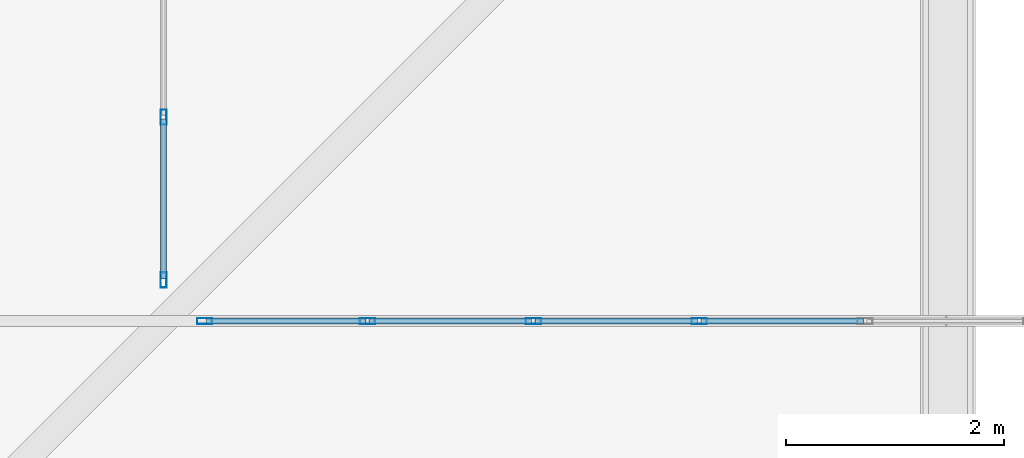
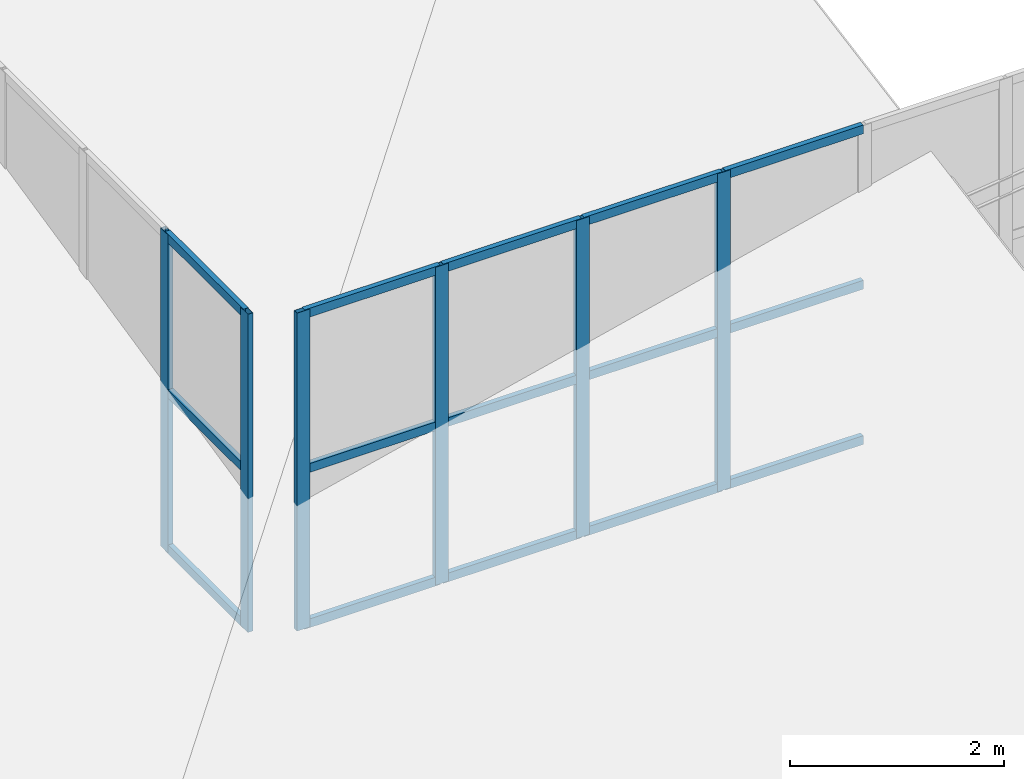
# One storey, part 13 of 397: 21 members, 2 elements without a shape of their own.
"""IFC4 building model written with IfcOpenShell, lengths in metres."""

from ifc_helpers import new_model, si_unit, direction, frame, origin, origin_2d, place, context, subcontext, project, spatial, hollow_rectangle, extrude, material, material_profile, profile_set, type_object, element, aggregate, save


model = new_model("IFC4")

# Units and contexts
model_context = context("Model", 3, precision=1e-05, world=origin(), true_north=direction((0.0, 1.0)))
body_context = subcontext(model_context, "Body", "Model", "MODEL_VIEW")
ifc_project = project(units=[si_unit("LENGTHUNIT", "METRE"), si_unit("AREAUNIT", "SQUARE_METRE"), si_unit("VOLUMEUNIT", "CUBIC_METRE"), si_unit("PLANEANGLEUNIT", "RADIAN"), si_unit("MASSUNIT", "GRAM", prefix="KILO")], contexts=[model_context])

# Site, building, storey
site_placement = place(None, origin())
site = spatial("IfcSite", under=ifc_project, at=site_placement, CompositionType="ELEMENT")
building_placement = place(site_placement, origin())
building = spatial("IfcBuilding", under=site, at=building_placement, Name="Qandorah Velis Arena", CompositionType="ELEMENT")
storey_placement = place(building_placement, frame((0.0, 0.0, 27.5)))
storey = spatial("IfcBuildingStorey", under=building, at=storey_placement, Name="RF", CompositionType="ELEMENT", Elevation=27.5)

# Curtain wall, members
ifc_material_1 = material(Name="Solar-control low-E double glazing", Category="glass")
curtain_wall_type_1 = type_object("IfcCurtainWallType", Name="ARC-CW-SYS07", PredefinedType="USERDEFINED", material=ifc_material_1)
curtain_wall_1_placement = place(storey_placement, origin())
curtain_wall_1 = element("IfcCurtainWall", 1, at=curtain_wall_1_placement, inside=storey, type_object=curtain_wall_type_1, Name="Unitised curtain wall MON-1-1", ObjectType="UNITISED CURTAIN WALL", PredefinedType="USERDEFINED")
ifc_material_2 = material(Name="Champagne-bronze anodized aluminium 6063-T6", Category="aluminium")
ifc_material_profile_1 = material_profile(ifc_material_2, hollow_rectangle(XDim=0.054931640625, YDim=0.139892578125, WallThickness=0.0029296875, at=origin_2d()), Name="ALU MULLION 55x140")
ifc_profile_set_1 = profile_set([ifc_material_profile_1], Name="Champagne-bronze anodized aluminium 6063-T6")
member_type_1 = type_object("IfcMemberType", Name="ARC-CWM-140", PredefinedType="MULLION", material=ifc_profile_set_1)
member_1_placement = place(storey_placement, frame((21.60009765625, 21.9775390625, 3.5263671875), z_axis=(0.0, 0.0, 1.0), x_axis=(-1.0, 0.0, 0.0)))
member_1 = element("IfcMember", 2, at=member_1_placement, type_object=member_type_1, Name="CW07 mullion 1", PredefinedType="MULLION", context=body_context, shape_type="SweptSolid", body=[
    extrude(hollow_rectangle(XDim=0.054931640625, YDim=0.139892578125, WallThickness=0.0029296875, at=origin_2d()), origin(), (0.0, 0.0, 1.0), 3.630126953125),
])
member_2_placement = place(storey_placement, frame((21.60009765625, 23.47216796875, 3.5263671875), z_axis=(0.0, 0.0, 1.0), x_axis=(-1.0, 0.0, 0.0)))
member_2 = element("IfcMember", 3, at=member_2_placement, type_object=member_type_1, Name="CW07 mullion 2", PredefinedType="MULLION", context=body_context, shape_type="SweptSolid", body=[
    extrude(hollow_rectangle(XDim=0.054931640625, YDim=0.139892578125, WallThickness=0.0029296875, at=origin_2d()), origin(), (0.0, 0.0, 1.0), 3.630126953125),
])

curtain_wall_type_2 = type_object("IfcCurtainWallType", Name="ARC-CW-SYS19", PredefinedType="USERDEFINED", material=ifc_material_1)
curtain_wall_2_placement = place(storey_placement, origin())
curtain_wall_2 = element("IfcCurtainWall", 4, at=curtain_wall_2_placement, inside=storey, type_object=curtain_wall_type_2, Name="Unitised curtain wall MON-3-1", ObjectType="UNITISED CURTAIN WALL", PredefinedType="USERDEFINED")
member_3_placement = place(storey_placement, frame((21.9775390625, 21.60009765625, 3.625732421875), z_axis=(0.0, 0.0, 1.0), x_axis=(0.0, 1.0, 0.0)))
member_3 = element("IfcMember", 5, at=member_3_placement, type_object=member_type_1, Name="CW19 mullion 1", PredefinedType="MULLION", context=body_context, shape_type="SweptSolid", body=[
    extrude(hollow_rectangle(XDim=0.054931640625, YDim=0.139892578125, WallThickness=0.0029296875, at=origin_2d()), origin(), (0.0, 0.0, 1.0), 3.630126953125),
])
member_4_placement = place(storey_placement, frame((23.47216796875, 21.60009765625, 3.625732421875), z_axis=(0.0, 0.0, 1.0), x_axis=(0.0, 1.0, 0.0)))
member_4 = element("IfcMember", 6, at=member_4_placement, type_object=member_type_1, Name="CW19 mullion 2", PredefinedType="MULLION", context=body_context, shape_type="SweptSolid", body=[
    extrude(hollow_rectangle(XDim=0.054931640625, YDim=0.139892578125, WallThickness=0.0029296875, at=origin_2d()), origin(), (0.0, 0.0, 1.0), 3.630126953125),
])
member_5_placement = place(storey_placement, frame((24.994384765625, 21.60009765625, 3.625732421875), z_axis=(0.0, 0.0, 1.0), x_axis=(0.0, 1.0, 0.0)))
member_5 = element("IfcMember", 7, at=member_5_placement, type_object=member_type_1, Name="CW19 mullion 3", PredefinedType="MULLION", context=body_context, shape_type="SweptSolid", body=[
    extrude(hollow_rectangle(XDim=0.054931640625, YDim=0.139892578125, WallThickness=0.0029296875, at=origin_2d()), origin(), (0.0, 0.0, 1.0), 3.630126953125),
])
member_6_placement = place(storey_placement, frame((26.5166015625, 21.60009765625, 3.625732421875), z_axis=(0.0, 0.0, 1.0), x_axis=(0.0, 1.0, 0.0)))
member_6 = element("IfcMember", 8, at=member_6_placement, type_object=member_type_1, Name="CW19 mullion 4", PredefinedType="MULLION", context=body_context, shape_type="SweptSolid", body=[
    extrude(hollow_rectangle(XDim=0.054931640625, YDim=0.139892578125, WallThickness=0.0029296875, at=origin_2d()), origin(), (0.0, 0.0, 1.0), 3.630126953125),
])

# Member
ifc_material_profile_2 = material_profile(ifc_material_2, hollow_rectangle(XDim=0.054931640625, YDim=0.10009765625, WallThickness=0.0029296875, at=origin_2d()), Name="ALU TRANSOM 55x100")
ifc_profile_set_2 = profile_set([ifc_material_profile_2], Name="Champagne-bronze anodized aluminium 6063-T6")
member_type_2 = type_object("IfcMemberType", Name="ARC-CWT-100", PredefinedType="USERDEFINED", material=ifc_profile_set_2)
member_7_placement = place(storey_placement, frame((21.60009765625, 21.992919921875, 3.56884765625), z_axis=(0.0, 1.0, 0.0), x_axis=(-1.0, 0.0, 0.0)))
member_7 = element("IfcMember", 9, at=member_7_placement, type_object=member_type_2, Name="CW07 transom 1.1", ObjectType="TRANSOM", PredefinedType="USERDEFINED", context=body_context, shape_type="SweptSolid", body=[
    extrude(hollow_rectangle(XDim=0.054931640625, YDim=0.10009765625, WallThickness=0.0029296875, at=origin_2d()), origin(), (0.0, 0.0, 1.0), 1.4638671875),
])

member_8_placement = place(storey_placement, frame((21.60009765625, 21.992919921875, 5.34130859375), z_axis=(0.0, 1.0, 0.0), x_axis=(-1.0, 0.0, 0.0)))
member_8 = element("IfcMember", 10, at=member_8_placement, type_object=member_type_2, Name="CW07 transom 1.2", ObjectType="TRANSOM", PredefinedType="USERDEFINED", context=body_context, shape_type="SweptSolid", body=[
    extrude(hollow_rectangle(XDim=0.054931640625, YDim=0.10009765625, WallThickness=0.0029296875, at=origin_2d()), origin(), (0.0, 0.0, 1.0), 1.4638671875),
])

member_9_placement = place(storey_placement, frame((21.60009765625, 21.992919921875, 7.114013671875), z_axis=(0.0, 1.0, 0.0), x_axis=(-1.0, 0.0, 0.0)))
member_9 = element("IfcMember", 11, at=member_9_placement, type_object=member_type_2, Name="CW07 transom 1.3", ObjectType="TRANSOM", PredefinedType="USERDEFINED", context=body_context, shape_type="SweptSolid", body=[
    extrude(hollow_rectangle(XDim=0.054931640625, YDim=0.10009765625, WallThickness=0.0029296875, at=origin_2d()), origin(), (0.0, 0.0, 1.0), 1.4638671875),
])

aggregate(curtain_wall_1, [member_1, member_2, member_7, member_8, member_9])

member_10_placement = place(storey_placement, frame((21.992919921875, 21.60009765625, 3.668212890625), z_axis=(1.0, 0.0, 0.0), x_axis=(0.0, 1.0, 0.0)))
member_10 = element("IfcMember", 12, at=member_10_placement, type_object=member_type_2, Name="CW19 transom 1.1", ObjectType="TRANSOM", PredefinedType="USERDEFINED", context=body_context, shape_type="SweptSolid", body=[
    extrude(hollow_rectangle(XDim=0.054931640625, YDim=0.10009765625, WallThickness=0.0029296875, at=origin_2d()), origin(), (0.0, 0.0, 1.0), 1.4638671875),
])

member_11_placement = place(storey_placement, frame((21.992919921875, 21.60009765625, 5.44091796875), z_axis=(1.0, 0.0, 0.0), x_axis=(0.0, 1.0, 0.0)))
member_11 = element("IfcMember", 13, at=member_11_placement, type_object=member_type_2, Name="CW19 transom 1.2", ObjectType="TRANSOM", PredefinedType="USERDEFINED", context=body_context, shape_type="SweptSolid", body=[
    extrude(hollow_rectangle(XDim=0.054931640625, YDim=0.10009765625, WallThickness=0.0029296875, at=origin_2d()), origin(), (0.0, 0.0, 1.0), 1.4638671875),
])

member_12_placement = place(storey_placement, frame((21.992919921875, 21.60009765625, 7.21337890625), z_axis=(1.0, 0.0, 0.0), x_axis=(0.0, 1.0, 0.0)))
member_12 = element("IfcMember", 14, at=member_12_placement, type_object=member_type_2, Name="CW19 transom 1.3", ObjectType="TRANSOM", PredefinedType="USERDEFINED", context=body_context, shape_type="SweptSolid", body=[
    extrude(hollow_rectangle(XDim=0.054931640625, YDim=0.10009765625, WallThickness=0.0029296875, at=origin_2d()), origin(), (0.0, 0.0, 1.0), 1.4638671875),
])

member_13_placement = place(storey_placement, frame((23.48779296875, 21.60009765625, 3.668212890625), z_axis=(1.0, 0.0, 0.0), x_axis=(0.0, 1.0, 0.0)))
member_13 = element("IfcMember", 15, at=member_13_placement, type_object=member_type_2, Name="CW19 transom 2.1", ObjectType="TRANSOM", PredefinedType="USERDEFINED", context=body_context, shape_type="SweptSolid", body=[
    extrude(hollow_rectangle(XDim=0.054931640625, YDim=0.10009765625, WallThickness=0.0029296875, at=origin_2d()), origin(), (0.0, 0.0, 1.0), 1.4912109375),
])

member_14_placement = place(storey_placement, frame((23.48779296875, 21.60009765625, 5.44091796875), z_axis=(1.0, 0.0, 0.0), x_axis=(0.0, 1.0, 0.0)))
member_14 = element("IfcMember", 16, at=member_14_placement, type_object=member_type_2, Name="CW19 transom 2.2", ObjectType="TRANSOM", PredefinedType="USERDEFINED", context=body_context, shape_type="SweptSolid", body=[
    extrude(hollow_rectangle(XDim=0.054931640625, YDim=0.10009765625, WallThickness=0.0029296875, at=origin_2d()), origin(), (0.0, 0.0, 1.0), 1.4912109375),
])

member_15_placement = place(storey_placement, frame((23.48779296875, 21.60009765625, 7.21337890625), z_axis=(1.0, 0.0, 0.0), x_axis=(0.0, 1.0, 0.0)))
member_15 = element("IfcMember", 17, at=member_15_placement, type_object=member_type_2, Name="CW19 transom 2.3", ObjectType="TRANSOM", PredefinedType="USERDEFINED", context=body_context, shape_type="SweptSolid", body=[
    extrude(hollow_rectangle(XDim=0.054931640625, YDim=0.10009765625, WallThickness=0.0029296875, at=origin_2d()), origin(), (0.0, 0.0, 1.0), 1.4912109375),
])

member_16_placement = place(storey_placement, frame((25.010009765625, 21.60009765625, 3.668212890625), z_axis=(1.0, 0.0, 0.0), x_axis=(0.0, 1.0, 0.0)))
member_16 = element("IfcMember", 18, at=member_16_placement, type_object=member_type_2, Name="CW19 transom 3.1", ObjectType="TRANSOM", PredefinedType="USERDEFINED", context=body_context, shape_type="SweptSolid", body=[
    extrude(hollow_rectangle(XDim=0.054931640625, YDim=0.10009765625, WallThickness=0.0029296875, at=origin_2d()), origin(), (0.0, 0.0, 1.0), 1.4912109375),
])

member_17_placement = place(storey_placement, frame((25.010009765625, 21.60009765625, 5.44091796875), z_axis=(1.0, 0.0, 0.0), x_axis=(0.0, 1.0, 0.0)))
member_17 = element("IfcMember", 19, at=member_17_placement, type_object=member_type_2, Name="CW19 transom 3.2", ObjectType="TRANSOM", PredefinedType="USERDEFINED", context=body_context, shape_type="SweptSolid", body=[
    extrude(hollow_rectangle(XDim=0.054931640625, YDim=0.10009765625, WallThickness=0.0029296875, at=origin_2d()), origin(), (0.0, 0.0, 1.0), 1.4912109375),
])

member_18_placement = place(storey_placement, frame((25.010009765625, 21.60009765625, 7.21337890625), z_axis=(1.0, 0.0, 0.0), x_axis=(0.0, 1.0, 0.0)))
member_18 = element("IfcMember", 20, at=member_18_placement, type_object=member_type_2, Name="CW19 transom 3.3", ObjectType="TRANSOM", PredefinedType="USERDEFINED", context=body_context, shape_type="SweptSolid", body=[
    extrude(hollow_rectangle(XDim=0.054931640625, YDim=0.10009765625, WallThickness=0.0029296875, at=origin_2d()), origin(), (0.0, 0.0, 1.0), 1.4912109375),
])

member_19_placement = place(storey_placement, frame((26.5322265625, 21.60009765625, 3.668212890625), z_axis=(1.0, 0.0, 0.0), x_axis=(0.0, 1.0, 0.0)))
member_19 = element("IfcMember", 21, at=member_19_placement, type_object=member_type_2, Name="CW19 transom 4.1", ObjectType="TRANSOM", PredefinedType="USERDEFINED", context=body_context, shape_type="SweptSolid", body=[
    extrude(hollow_rectangle(XDim=0.054931640625, YDim=0.10009765625, WallThickness=0.0029296875, at=origin_2d()), origin(), (0.0, 0.0, 1.0), 1.4912109375),
])

member_20_placement = place(storey_placement, frame((26.5322265625, 21.60009765625, 5.44091796875), z_axis=(1.0, 0.0, 0.0), x_axis=(0.0, 1.0, 0.0)))
member_20 = element("IfcMember", 22, at=member_20_placement, type_object=member_type_2, Name="CW19 transom 4.2", ObjectType="TRANSOM", PredefinedType="USERDEFINED", context=body_context, shape_type="SweptSolid", body=[
    extrude(hollow_rectangle(XDim=0.054931640625, YDim=0.10009765625, WallThickness=0.0029296875, at=origin_2d()), origin(), (0.0, 0.0, 1.0), 1.4912109375),
])

member_21_placement = place(storey_placement, frame((26.5322265625, 21.60009765625, 7.21337890625), z_axis=(1.0, 0.0, 0.0), x_axis=(0.0, 1.0, 0.0)))
member_21 = element("IfcMember", 23, at=member_21_placement, type_object=member_type_2, Name="CW19 transom 4.3", ObjectType="TRANSOM", PredefinedType="USERDEFINED", context=body_context, shape_type="SweptSolid", body=[
    extrude(hollow_rectangle(XDim=0.054931640625, YDim=0.10009765625, WallThickness=0.0029296875, at=origin_2d()), origin(), (0.0, 0.0, 1.0), 1.4912109375),
])

aggregate(curtain_wall_2, [member_3, member_4, member_5, member_6, member_10, member_11, member_12, member_13, member_14, member_15, member_16, member_17, member_18, member_19, member_20, member_21])

save(model, "model.ifc")
